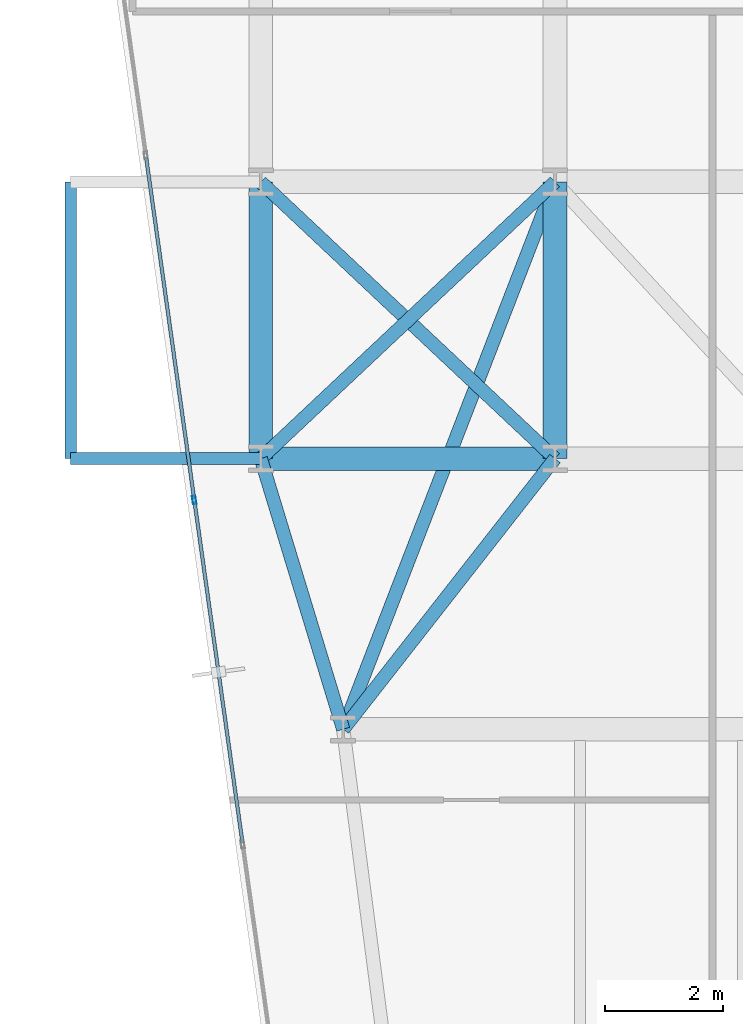
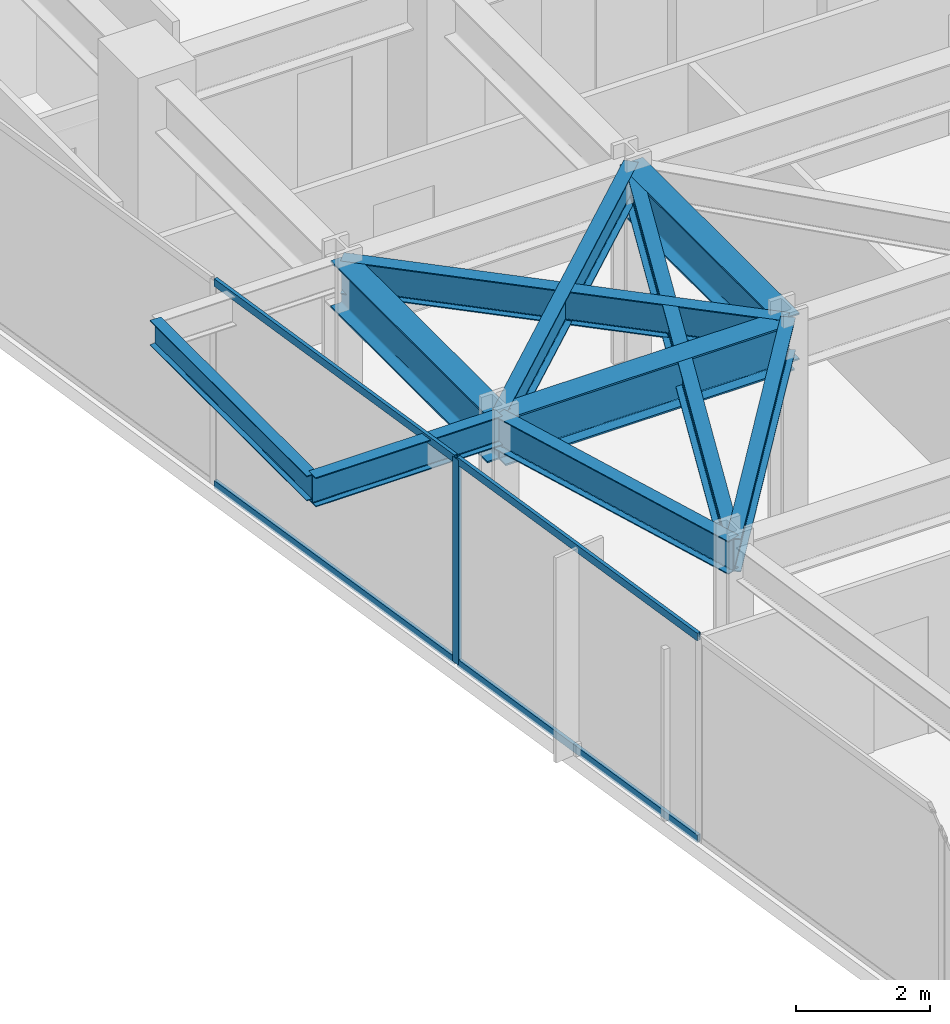
# One storey, part 9 of 26: 10 beams, 5 members, 1 element without a shape of its own.
"""IFC4 building model written with IfcOpenShell, lengths in metres."""

from ifc_helpers import new_model, si_unit, direction, frame, origin, origin_2d, place, context, subcontext, project, spatial, hollow_rectangle, i_section, extrude, material, layer, layer_set, material_profile, profile_set, type_object, element, aggregate, save


model = new_model("IFC4")

# Units and contexts
model_context = context("Model", 3, precision=1e-05, world=origin(), true_north=direction((0.0, 1.0)))
body_context = subcontext(model_context, "Body", "Model", "MODEL_VIEW")
ifc_project = project(units=[si_unit("LENGTHUNIT", "METRE"), si_unit("AREAUNIT", "SQUARE_METRE"), si_unit("VOLUMEUNIT", "CUBIC_METRE"), si_unit("PLANEANGLEUNIT", "RADIAN"), si_unit("MASSUNIT", "GRAM", prefix="KILO")], contexts=[model_context])

# Site, building, storey
site_placement = place(None, origin())
site = spatial("IfcSite", under=ifc_project, at=site_placement, CompositionType="ELEMENT")
building_placement = place(site_placement, origin())
building = spatial("IfcBuilding", under=site, at=building_placement, Name="Kravanh Interchange Tower", CompositionType="ELEMENT")
storey_placement = place(building_placement, frame((0.0, 0.0, 100.0)))
storey = spatial("IfcBuildingStorey", under=building, at=storey_placement, Name="L23", CompositionType="ELEMENT", Elevation=100.0)

# Curtain wall, members
ifc_material_1 = material(Name="Anodised Bronze Aluminium", Category="aluminium")
ifc_layer = layer(ifc_material_1, 0.179931640625)
ifc_layer_set = layer_set([ifc_layer], Name="Unitised Curtain Wall System CW-Z2 Mid Office")
curtain_wall_type = type_object("IfcCurtainWallType", Name="Unitised Curtain Wall System CW-Z2 Mid Office", PredefinedType="NOTDEFINED", material=ifc_layer_set)
curtain_wall_placement = place(storey_placement, origin())
curtain_wall = element("IfcCurtainWall", 1, at=curtain_wall_placement, inside=storey, type_object=curtain_wall_type, Name="L23 Unitised Curtain Wall CW-L23-01", PredefinedType="NOTDEFINED")
ifc_material_2 = material(Name="Anodised Bronze Aluminium", Category="aluminium")
ifc_material_profile_1 = material_profile(ifc_material_2, hollow_rectangle(XDim=0.06005859375, YDim=0.139892578125, WallThickness=0.00390625, at=origin_2d()), Name="ALU60X140X4")
ifc_profile_set_1 = profile_set([ifc_material_profile_1], Name="Anodised Bronze Aluminium")
member_type_1 = type_object("IfcMemberType", Name="Curtain Wall Mullion ALU60X140X4 Bronze", PredefinedType="MULLION", material=ifc_profile_set_1)
member_1_placement = place(storey_placement, frame((12.469970703125, 26.095458984375, 0.0), z_axis=(0.0, 0.0, 1.0), x_axis=(-0.990268103846, -0.13917285118, 0.0)))
member_1 = element("IfcMember", 2, at=member_1_placement, type_object=member_type_1, Name="CW-Z2 mullion 4", PredefinedType="MULLION", context=body_context, shape_type="SweptSolid", body=[
    extrude(hollow_rectangle(XDim=0.06005859375, YDim=0.139892578125, WallThickness=0.00390625, at=origin_2d()), origin(), (0.0, 0.0, 1.0), 3.75),
])
ifc_material_3 = material(Name="Anodised Bronze Aluminium", Category="aluminium")
ifc_material_profile_2 = material_profile(ifc_material_3, hollow_rectangle(XDim=0.06005859375, YDim=0.139892578125, WallThickness=0.00390625, at=origin_2d()), Name="ALU60X140X4")
ifc_profile_set_2 = profile_set([ifc_material_profile_2], Name="Anodised Bronze Aluminium")
member_type_2 = type_object("IfcMemberType", Name="Curtain Wall Transom ALU60X140X4 Bronze", PredefinedType="USERDEFINED", material=ifc_profile_set_2)
member_2_placement = place(storey_placement, frame((13.288330078125, 20.27294921875, 0.030029296875), z_axis=(-0.13918896503, 0.990265839062, 0.0), x_axis=(-0.990265839062, -0.13918896503, 0.0)))
member_2 = element("IfcMember", 3, at=member_2_placement, type_object=member_type_2, Name="CW-Z2 transom 3.1", ObjectType="TRANSOM", PredefinedType="USERDEFINED", context=body_context, shape_type="SweptSolid", body=[
    extrude(hollow_rectangle(XDim=0.06005859375, YDim=0.139892578125, WallThickness=0.00390625, at=origin_2d()), origin(), (0.0, 0.0, 1.0), 5.849609375),
])
member_3_placement = place(storey_placement, frame((13.288330078125, 20.27294921875, 3.719970703125), z_axis=(-0.13918896503, 0.990265839062, 0.0), x_axis=(-0.990265839062, -0.13918896503, 0.0)))
member_3 = element("IfcMember", 4, at=member_3_placement, type_object=member_type_2, Name="CW-Z2 transom 3.2", ObjectType="TRANSOM", PredefinedType="USERDEFINED", context=body_context, shape_type="SweptSolid", body=[
    extrude(hollow_rectangle(XDim=0.06005859375, YDim=0.139892578125, WallThickness=0.00390625, at=origin_2d()), origin(), (0.0, 0.0, 1.0), 5.849609375),
])
member_4_placement = place(storey_placement, frame((12.4658203125, 26.125244140625, 0.030029296875), z_axis=(-0.13918896503, 0.990265839062, 0.0), x_axis=(-0.990265839062, -0.13918896503, 0.0)))
member_4 = element("IfcMember", 5, at=member_4_placement, type_object=member_type_2, Name="CW-Z2 transom 4.1", ObjectType="TRANSOM", PredefinedType="USERDEFINED", context=body_context, shape_type="SweptSolid", body=[
    extrude(hollow_rectangle(XDim=0.06005859375, YDim=0.139892578125, WallThickness=0.00390625, at=origin_2d()), origin(), (0.0, 0.0, 1.0), 5.849609375),
])
member_5_placement = place(storey_placement, frame((12.4658203125, 26.125244140625, 3.719970703125), z_axis=(-0.13918896503, 0.990265839062, 0.0), x_axis=(-0.990265839062, -0.13918896503, 0.0)))
member_5 = element("IfcMember", 6, at=member_5_placement, type_object=member_type_2, Name="CW-Z2 transom 4.2", ObjectType="TRANSOM", PredefinedType="USERDEFINED", context=body_context, shape_type="SweptSolid", body=[
    extrude(hollow_rectangle(XDim=0.06005859375, YDim=0.139892578125, WallThickness=0.00390625, at=origin_2d()), origin(), (0.0, 0.0, 1.0), 5.849609375),
])
aggregate(curtain_wall, [member_1, member_2, member_3, member_4, member_5])

# Beams
ifc_material_4 = material(Name="Structural Steel S355", Category="steel")
ifc_material_profile_3 = material_profile(ifc_material_4, i_section(OverallWidth=0.39990234375, OverallDepth=0.85595703125, WebThickness=0.018310546875, FlangeThickness=0.029296875, FilletRadius=0.02490234375, at=origin_2d()), Name="W33X201")
ifc_profile_set_3 = profile_set([ifc_material_profile_3], Name="Structural Steel S355")
beam_type_1 = type_object("IfcBeamType", Name="Floor Beam W33X201 Structural Steel S355", PredefinedType="BEAM", material=ifc_profile_set_3)
beam_1_placement = place(storey_placement, frame((13.60009765625, 26.800048828125, 3.322021484375), z_axis=(0.0, 1.0, 0.0), x_axis=(-1.0, 0.0, 0.0)))
element("IfcBeam", 7, at=beam_1_placement, inside=storey, type_object=beam_type_1, Name="L23 Primary Floor Girder 37", PredefinedType="BEAM", context=body_context, shape_type="SweptSolid", body=[
    extrude(i_section(OverallWidth=0.39990234375, OverallDepth=0.85595703125, WebThickness=0.018310546875, FlangeThickness=0.029296875, FilletRadius=0.02490234375, at=origin_2d()), origin(), (0.0, 0.0, 1.0), 4.699951171875),
])
beam_2_placement = place(storey_placement, frame((13.60009765625, 26.800048828125, 3.322021484375), z_axis=(1.0, 0.0, 0.0), x_axis=(0.0, 1.0, 0.0)))
element("IfcBeam", 8, at=beam_2_placement, inside=storey, type_object=beam_type_1, Name="L23 Primary Floor Girder 39", PredefinedType="BEAM", context=body_context, shape_type="SweptSolid", body=[
    extrude(i_section(OverallWidth=0.39990234375, OverallDepth=0.85595703125, WebThickness=0.018310546875, FlangeThickness=0.029296875, FilletRadius=0.02490234375, at=origin_2d()), origin(), (0.0, 0.0, 1.0), 5.0),
])
beam_3_placement = place(storey_placement, frame((18.60009765625, 26.800048828125, 3.322021484375), z_axis=(0.0, 1.0, 0.0), x_axis=(-1.0, 0.0, 0.0)))
element("IfcBeam", 9, at=beam_3_placement, inside=storey, type_object=beam_type_1, Name="L23 Primary Floor Girder 41", PredefinedType="BEAM", context=body_context, shape_type="SweptSolid", body=[
    extrude(i_section(OverallWidth=0.39990234375, OverallDepth=0.85595703125, WebThickness=0.018310546875, FlangeThickness=0.029296875, FilletRadius=0.02490234375, at=origin_2d()), origin(), (0.0, 0.0, 1.0), 4.699951171875),
])
ifc_material_5 = material(Name="Structural Steel S355", Category="steel")
ifc_material_profile_4 = material_profile(ifc_material_5, i_section(OverallWidth=0.18994140625, OverallDepth=0.45703125, WebThickness=0.009033203125, FlangeThickness=0.014404296875, FilletRadius=0.01806640625, at=origin_2d()), Name="W18X50")
ifc_profile_set_4 = profile_set([ifc_material_profile_4], Name="Structural Steel S355")
beam_type_2 = type_object("IfcBeamType", Name="Floor Joist W18X50 Structural Steel S355", PredefinedType="JOIST", material=ifc_profile_set_4)
beam_4_placement = place(storey_placement, frame((10.3701171875, 26.800048828125, 3.521484375), z_axis=(0.0, 1.0, 0.0), x_axis=(-1.0, 0.0, 0.0)))
element("IfcBeam", 10, at=beam_4_placement, inside=storey, type_object=beam_type_2, Name="L23 Balcony Edge Tie Beam W", PredefinedType="JOIST", context=body_context, shape_type="SweptSolid", body=[
    extrude(i_section(OverallWidth=0.18994140625, OverallDepth=0.45703125, WebThickness=0.009033203125, FlangeThickness=0.014404296875, FilletRadius=0.01806640625, at=origin_2d()), origin(), (0.0, 0.0, 1.0), 4.699951171875),
])
ifc_material_6 = material(Name="Structural Steel S355", Category="steel")
ifc_material_profile_5 = material_profile(ifc_material_6, i_section(OverallWidth=0.2099609375, OverallDepth=0.537109375, WebThickness=0.010986328125, FlangeThickness=0.017333984375, FilletRadius=0.02001953125, at=origin_2d()), Name="W21X68")
ifc_profile_set_5 = profile_set([ifc_material_profile_5], Name="Structural Steel S355")
beam_type_3 = type_object("IfcBeamType", Name="Floor Spandrel W21X68 Structural Steel S355", PredefinedType="SPANDREL", material=ifc_profile_set_5)
beam_5_placement = place(storey_placement, frame((13.60009765625, 26.800048828125, 3.4814453125), z_axis=(-1.0, 0.0, 0.0), x_axis=(0.0, -1.0, 0.0)))
element("IfcBeam", 11, at=beam_5_placement, inside=storey, type_object=beam_type_3, Name="L23 Balcony Cantilever Outrigger W1", PredefinedType="SPANDREL", context=body_context, shape_type="SweptSolid", body=[
    extrude(i_section(OverallWidth=0.2099609375, OverallDepth=0.537109375, WebThickness=0.010986328125, FlangeThickness=0.017333984375, FilletRadius=0.02001953125, at=origin_2d()), origin(), (0.0, 0.0, 1.0), 3.22998046875),
])
ifc_material_7 = material(Name="Structural Steel S355", Category="steel")
ifc_material_profile_6 = material_profile(ifc_material_7, i_section(OverallWidth=0.22802734375, OverallDepth=0.60791015625, WebThickness=0.01123046875, FlangeThickness=0.017333984375, FilletRadius=0.02197265625, at=origin_2d()), Name="W24X76")
ifc_profile_set_6 = profile_set([ifc_material_profile_6], Name="Structural Steel S355")
beam_type_4 = type_object("IfcBeamType", Name="Floor Spandrel W24X76 Structural Steel S355", PredefinedType="SPANDREL", material=ifc_profile_set_6)
beam_6_placement = place(storey_placement, frame((13.60009765625, 26.800048828125, 3.446044921875), z_axis=(0.291137370727, -0.956681259023, 0.0), x_axis=(0.956681259023, 0.291137370727, 0.0)))
element("IfcBeam", 12, at=beam_6_placement, inside=storey, type_object=beam_type_4, Name="L23 Perimeter Spandrel 38", PredefinedType="SPANDREL", context=body_context, shape_type="SweptSolid", body=[
    extrude(i_section(OverallWidth=0.22802734375, OverallDepth=0.60791015625, WebThickness=0.01123046875, FlangeThickness=0.017333984375, FilletRadius=0.02197265625, at=origin_2d()), origin(), (0.0, 0.0, 1.0), 4.808349609375),
])
beam_7_placement = place(storey_placement, frame((13.60009765625, 26.800048828125, 3.446044921875), z_axis=(0.728631219862, 0.684906231131, 0.0), x_axis=(-0.684906231131, 0.728631219862, 0.0)))
element("IfcBeam", 13, at=beam_7_placement, inside=storey, type_object=beam_type_4, Name="L23 Perimeter Spandrel 40", PredefinedType="SPANDREL", context=body_context, shape_type="SweptSolid", body=[
    extrude(i_section(OverallWidth=0.22802734375, OverallDepth=0.60791015625, WebThickness=0.01123046875, FlangeThickness=0.017333984375, FilletRadius=0.02197265625, at=origin_2d()), origin(), (0.0, 0.0, 1.0), 6.862060546875),
])
beam_8_placement = place(storey_placement, frame((18.60009765625, 26.800048828125, 3.446044921875), z_axis=(-0.616310515553, -0.787503237085, 0.0), x_axis=(0.787503237085, -0.616310515553, 0.0)))
element("IfcBeam", 14, at=beam_8_placement, inside=storey, type_object=beam_type_4, Name="L23 Perimeter Spandrel 42", PredefinedType="SPANDREL", context=body_context, shape_type="SweptSolid", body=[
    extrude(i_section(OverallWidth=0.22802734375, OverallDepth=0.60791015625, WebThickness=0.01123046875, FlangeThickness=0.017333984375, FilletRadius=0.02197265625, at=origin_2d()), origin(), (0.0, 0.0, 1.0), 5.84130859375),
])
beam_9_placement = place(storey_placement, frame((18.60009765625, 26.800048828125, 3.446044921875), z_axis=(-0.728631219862, 0.684906231131, 0.0), x_axis=(-0.684906231131, -0.728631219862, 0.0)))
element("IfcBeam", 15, at=beam_9_placement, inside=storey, type_object=beam_type_4, Name="L23 Perimeter Spandrel 43", PredefinedType="SPANDREL", context=body_context, shape_type="SweptSolid", body=[
    extrude(i_section(OverallWidth=0.22802734375, OverallDepth=0.60791015625, WebThickness=0.01123046875, FlangeThickness=0.017333984375, FilletRadius=0.02197265625, at=origin_2d()), origin(), (0.0, 0.0, 1.0), 6.862060546875),
])
beam_10_placement = place(storey_placement, frame((18.60009765625, 31.5, 3.446044921875), z_axis=(-0.3610009706, -0.932565439648, 0.0), x_axis=(0.932565439648, -0.3610009706, 0.0)))
element("IfcBeam", 16, at=beam_10_placement, inside=storey, type_object=beam_type_4, Name="L23 Perimeter Spandrel 72", PredefinedType="SPANDREL", context=body_context, shape_type="SweptSolid", body=[
    extrude(i_section(OverallWidth=0.22802734375, OverallDepth=0.60791015625, WebThickness=0.01123046875, FlangeThickness=0.017333984375, FilletRadius=0.02197265625, at=origin_2d()), origin(), (0.0, 0.0, 1.0), 9.97265625),
])

save(model, "model.ifc")
